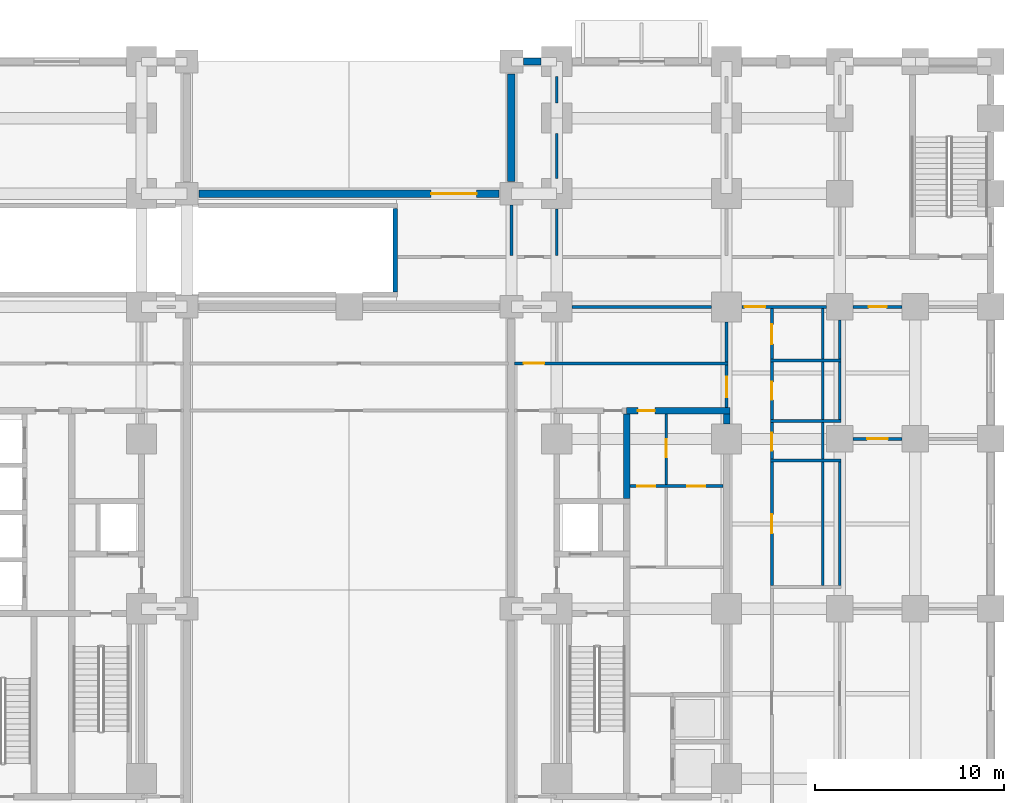
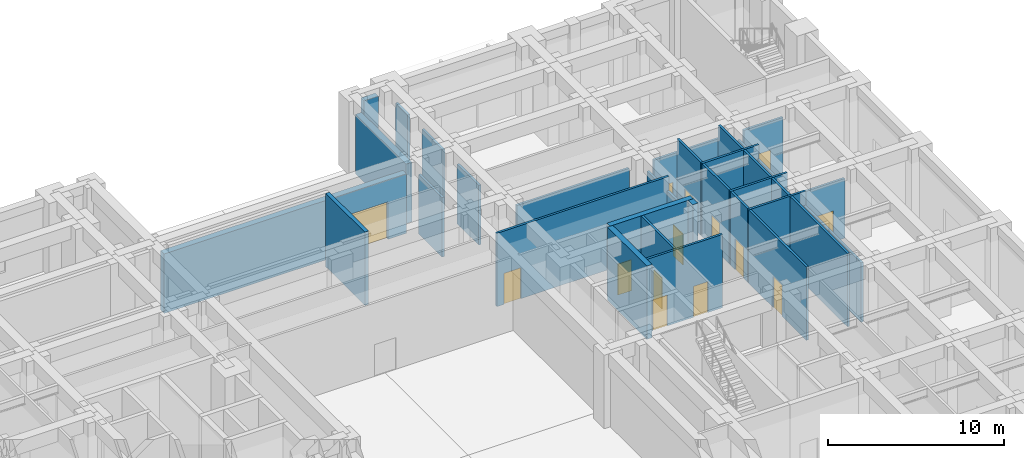
# One storey, part 11 of 20: 34 walls, 14 doors, 14 openings.
"""IFC4 building model written with IfcOpenShell, lengths in metres."""

from ifc_helpers import new_model, si_unit, direction, frame, frame_2d, origin, place, context, subcontext, project, spatial, rectangle, extrude, material, layer, layer_set, type_object, element, fill, save


model = new_model("IFC4")

# Units and contexts
model_context = context("Model", 3, precision=1e-05, world=origin(), true_north=direction((0.0, 1.0)))
body_context = subcontext(model_context, "Body", "Model", "MODEL_VIEW")
ifc_project = project(units=[si_unit("LENGTHUNIT", "METRE"), si_unit("AREAUNIT", "SQUARE_METRE"), si_unit("VOLUMEUNIT", "CUBIC_METRE"), si_unit("PLANEANGLEUNIT", "RADIAN"), si_unit("MASSUNIT", "GRAM", prefix="KILO")], contexts=[model_context])

# Site, building, storey
site_placement = place(None, origin())
site = spatial("IfcSite", under=ifc_project, at=site_placement, CompositionType="ELEMENT")
building_placement = place(site_placement, origin())
building = spatial("IfcBuilding", under=site, at=building_placement, Name="Zulmaris Gate Convention Tower", CompositionType="ELEMENT")
storey_placement = place(building_placement, origin())
storey = spatial("IfcBuildingStorey", under=building, at=storey_placement, Name="L00", CompositionType="ELEMENT", Elevation=0.0)

# Wall
ifc_material_1 = material(Name="Concrete C50/60", Category="concrete")
ifc_layer_1 = layer(ifc_material_1, 0.25, Name="Concrete C50/60")
ifc_layer_set_1 = layer_set([ifc_layer_1], Name="Concrete C50/60")
wall_type_1 = type_object("IfcWallType", Name="CORE-250", PredefinedType="SOLIDWALL", material=ifc_layer_set_1)
wall_1_placement = place(storey_placement, frame((2.449951171875, 16.777099609375, 0.0), z_axis=(0.0, 0.0, 1.0), x_axis=(0.0, 1.0, 0.0)))
element("IfcWall", 1, at=wall_1_placement, inside=storey, type_object=wall_type_1, Name="WL-L00-090", PredefinedType="SOLIDWALL", context=body_context, shape_type="SweptSolid", body=[
    extrude(rectangle(XDim=4.44580078125, YDim=0.25, at=frame_2d((2.222900390625, 0.0))), origin(), (0.0, 0.0, 1.0), 5.08984375),
])

# Wall, opening, door
ifc_material_2 = material(Name="Concrete C55/67", Category="concrete")
ifc_layer_2 = layer(ifc_material_2, 0.35009765625, Name="Concrete C55/67")
ifc_layer_set_2 = layer_set([ifc_layer_2], Name="Concrete C55/67")
wall_type_2 = type_object("IfcWallType", Name="CORE-350", PredefinedType="SHEAR", material=ifc_layer_set_2)
wall_2_placement = place(storey_placement, frame((14.699951171875, 10.5, 0.0), z_axis=(0.0, 0.0, 1.0), x_axis=(1.0, 0.0, 0.0)))
wall_2 = element("IfcWall", 2, at=wall_2_placement, inside=storey, type_object=wall_type_2, Name="WL-L00-026", PredefinedType="SHEAR", context=body_context, shape_type="SweptSolid", body=[
    extrude(rectangle(XDim=5.47509765625, YDim=0.35009765625, at=frame_2d((2.737548828125, 0.0))), origin(), (0.0, 0.0, 1.0), 5.08984375),
])
opening_1_placement = place(wall_2_placement, frame((0.60009765625, 0.0, 0.0)))
opening_1 = element("IfcOpeningElement", 3, at=opening_1_placement, cuts=wall_2, Name="Opening D-12", PredefinedType="OPENING", context=body_context, shape_type="SweptSolid", body=[
    extrude(rectangle(XDim=0.89990234375, YDim=2.14990234375, at=frame_2d((0.449951171875, 1.074951171875))), frame((0.0, 0.18505859375, 0.0), z_axis=(0.0, -1.0, 0.0), x_axis=(1.0, 0.0, 0.0)), (0.0, 0.0, 1.0), 0.3701171875),
])
ifc_material_3 = material(Name="Fire-Rated Timber", Category="wood")
door_type_1 = type_object("IfcDoorType", Name="DR-900-FD", OperationType="NOTDEFINED", PredefinedType="DOOR", material=ifc_material_3)
door_1_placement = place(opening_1_placement, origin())
door_1 = element("IfcDoor", 4, at=door_1_placement, inside=storey, type_object=door_type_1, Name="L00 East Service Passage Door 19", OperationType="SINGLE_SWING_RIGHT", OverallHeight=2.14990234375, OverallWidth=0.89990234375, PredefinedType="DOOR", context=body_context, shape_type="SweptSolid", body=[
    extrude(rectangle(XDim=0.89990234375, YDim=2.14990234375, at=frame_2d((0.449951171875, 1.074951171875))), frame((0.0, 0.02490234375, 0.0), z_axis=(0.0, -1.0, 0.0), x_axis=(1.0, 0.0, 0.0)), (0.0, 0.0, 1.0), 0.050048828125),
])
fill(opening_1, door_1)

# Walls
wall_3_placement = place(storey_placement, frame((14.699951171875, 5.85205078125, 0.0), z_axis=(0.0, 0.0, 1.0), x_axis=(0.0, 1.0, 0.0)))
element("IfcWall", 5, at=wall_3_placement, inside=storey, type_object=wall_type_2, Name="WL-L00-100", PredefinedType="SHEAR", context=body_context, shape_type="SweptSolid", body=[
    extrude(rectangle(XDim=4.470947265625, YDim=0.35009765625, at=frame_2d((2.2353515625, 0.0))), origin(), (0.0, 0.0, 1.0), 5.08984375),
])
wall_4_placement = place(storey_placement, frame((20.0, 9.803955078125, 0.0), z_axis=(0.0, 0.0, 1.0), x_axis=(0.0, 1.0, 0.0)))
element("IfcWall", 6, at=wall_4_placement, inside=storey, type_object=wall_type_2, Name="WL-L00-105S2", PredefinedType="SHEAR", context=body_context, shape_type="SweptSolid", body=[
    extrude(rectangle(XDim=0.51904296875, YDim=0.35009765625, at=frame_2d((0.259521484375, 0.0))), origin(), (0.0, 0.0, 1.0), 5.08984375),
])

# Wall, openings, doors
ifc_material_4 = material(Name="Gypsum Metal Stud Partition")
ifc_layer_3 = layer(ifc_material_4, 0.14990234375, Name="Gypsum Metal Stud Partition")
ifc_layer_set_3 = layer_set([ifc_layer_3], Name="Gypsum Metal Stud Partition")
wall_type_3 = type_object("IfcWallType", Name="PART-150", PredefinedType="PARTITIONING", material=ifc_layer_set_3)
wall_5_placement = place(storey_placement, frame((14.8779296875, 6.5, 0.0), z_axis=(0.0, 0.0, 1.0), x_axis=(1.0, 0.0, 0.0)))
wall_5 = element("IfcWall", 7, at=wall_5_placement, inside=storey, type_object=wall_type_3, Name="WL-L00-049", PredefinedType="PARTITIONING", context=body_context, shape_type="SweptSolid", body=[
    extrude(rectangle(XDim=4.944091796875, YDim=0.14990234375, at=frame_2d((2.47216796875, 0.0))), origin(), (0.0, 0.0, 1.0), 5.08984375),
])
opening_2_placement = place(wall_5_placement, frame((0.39697265625, 0.0, 0.0)))
opening_2 = element("IfcOpeningElement", 8, at=opening_2_placement, cuts=wall_5, Name="Opening D-11", PredefinedType="OPENING", context=body_context, shape_type="SweptSolid", body=[
    extrude(rectangle(XDim=0.949951171875, YDim=2.14990234375, at=frame_2d((0.47509765625, 1.074951171875))), frame((0.0, 0.0849609375, 0.0), z_axis=(0.0, -1.0, 0.0), x_axis=(1.0, 0.0, 0.0)), (0.0, 0.0, 1.0), 0.169921875),
])
opening_3_placement = place(wall_5_placement, frame((3.047119140625, 0.0, 0.0)))
opening_3 = element("IfcOpeningElement", 9, at=opening_3_placement, cuts=wall_5, Name="Opening D-11", PredefinedType="OPENING", context=body_context, shape_type="SweptSolid", body=[
    extrude(rectangle(XDim=0.949951171875, YDim=2.14990234375, at=frame_2d((0.47509765625, 1.074951171875))), frame((0.0, 0.0849609375, 0.0), z_axis=(0.0, -1.0, 0.0), x_axis=(1.0, 0.0, 0.0)), (0.0, 0.0, 1.0), 0.169921875),
])
door_type_2 = type_object("IfcDoorType", Name="DR-950-FD", OperationType="NOTDEFINED", PredefinedType="DOOR", material=ifc_material_3)
door_2_placement = place(opening_2_placement, origin())
door_2 = element("IfcDoor", 10, at=door_2_placement, inside=storey, type_object=door_type_2, Name="L00 East Staff WC Door 20", OperationType="SINGLE_SWING_LEFT", OverallHeight=2.14990234375, OverallWidth=0.949951171875, PredefinedType="DOOR", context=body_context, shape_type="SweptSolid", body=[
    extrude(rectangle(XDim=0.949951171875, YDim=2.14990234375, at=frame_2d((0.47509765625, 1.074951171875))), frame((0.0, 0.02490234375, 0.0), z_axis=(0.0, -1.0, 0.0), x_axis=(1.0, 0.0, 0.0)), (0.0, 0.0, 1.0), 0.050048828125),
])
fill(opening_2, door_2)
door_3_placement = place(opening_3_placement, origin())
door_3 = element("IfcDoor", 11, at=door_3_placement, inside=storey, type_object=door_type_2, Name="L00 East Catering Store Door 23", OperationType="SINGLE_SWING_RIGHT", OverallHeight=2.14990234375, OverallWidth=0.949951171875, PredefinedType="DOOR", context=body_context, shape_type="SweptSolid", body=[
    extrude(rectangle(XDim=0.949951171875, YDim=2.14990234375, at=frame_2d((0.47509765625, 1.074951171875))), frame((0.0, 0.02490234375, 0.0), z_axis=(0.0, -1.0, 0.0), x_axis=(1.0, 0.0, 0.0)), (0.0, 0.0, 1.0), 0.050048828125),
])
fill(opening_3, door_3)

# Wall
wall_6_placement = place(storey_placement, frame((22.324951171875, 7.85009765625, 0.0), z_axis=(0.0, 0.0, 1.0), x_axis=(1.0, 0.0, 0.0)))
element("IfcWall", 12, at=wall_6_placement, inside=storey, type_object=wall_type_3, Name="WL-L00-050", PredefinedType="PARTITIONING", context=body_context, shape_type="SweptSolid", body=[
    extrude(rectangle(XDim=3.75, YDim=0.14990234375, at=frame_2d((1.875, 0.0))), origin(), (0.0, 0.0, 1.0), 5.08984375),
])

# Wall, opening, door
wall_7_placement = place(storey_placement, frame((26.7060546875, 9.0, 0.0), z_axis=(0.0, 0.0, 1.0), x_axis=(1.0, 0.0, 0.0)))
wall_7 = element("IfcWall", 13, at=wall_7_placement, inside=storey, type_object=wall_type_3, Name="WL-L00-052", PredefinedType="PARTITIONING", context=body_context, shape_type="SweptSolid", body=[
    extrude(rectangle(XDim=2.587890625, YDim=0.14990234375, at=frame_2d((1.2939453125, 0.0))), origin(), (0.0, 0.0, 1.0), 4.1318359375),
])
opening_4_placement = place(wall_7_placement, frame((0.743896484375, 0.0, 0.0)))
opening_4 = element("IfcOpeningElement", 14, at=opening_4_placement, cuts=wall_7, Name="Opening D-21", PredefinedType="OPENING", context=body_context, shape_type="SweptSolid", body=[
    extrude(rectangle(XDim=1.10009765625, YDim=2.14990234375, at=frame_2d((0.550048828125, 1.074951171875))), frame((0.0, 0.0849609375, 0.0), z_axis=(0.0, -1.0, 0.0), x_axis=(1.0, 0.0, 0.0)), (0.0, 0.0, 1.0), 0.169921875),
])
ifc_material_5 = material(Name="Acoustic Hardwood Timber", Category="wood")
door_type_3 = type_object("IfcDoorType", Name="DR-1100", OperationType="NOTDEFINED", PredefinedType="DOOR", material=ifc_material_5)
door_4_placement = place(opening_4_placement, origin())
door_4 = element("IfcDoor", 15, at=door_4_placement, inside=storey, type_object=door_type_3, Name="L00 Travel Shop Door 74", OperationType="SINGLE_SWING_LEFT", OverallHeight=2.14990234375, OverallWidth=1.10009765625, PredefinedType="DOOR", context=body_context, shape_type="SweptSolid", body=[
    extrude(rectangle(XDim=1.10009765625, YDim=2.14990234375, at=frame_2d((0.550048828125, 1.074951171875))), frame((0.0, 0.02490234375, 0.0), z_axis=(0.0, -1.0, 0.0), x_axis=(1.0, 0.0, 0.0)), (0.0, 0.0, 1.0), 0.050048828125),
])
fill(opening_4, door_4)

# Wall
wall_8_placement = place(storey_placement, frame((22.324951171875, 9.949951171875, 0.0), z_axis=(0.0, 0.0, 1.0), x_axis=(1.0, 0.0, 0.0)))
element("IfcWall", 16, at=wall_8_placement, inside=storey, type_object=wall_type_3, Name="WL-L00-053", PredefinedType="PARTITIONING", context=body_context, shape_type="SweptSolid", body=[
    extrude(rectangle(XDim=3.75, YDim=0.14990234375, at=frame_2d((1.875, 0.0))), origin(), (0.0, 0.0, 1.0), 5.08984375),
])

# Wall, opening, door
wall_9_placement = place(storey_placement, frame((8.764892578125, 13.0, 0.0), z_axis=(0.0, 0.0, 1.0), x_axis=(1.0, 0.0, 0.0)))
wall_9 = element("IfcWall", 17, at=wall_9_placement, inside=storey, type_object=wall_type_3, Name="WL-L00-059", PredefinedType="PARTITIONING", context=body_context, shape_type="SweptSolid", body=[
    extrude(rectangle(XDim=11.31005859375, YDim=0.14990234375, at=frame_2d((5.655029296875, 0.0))), origin(), (0.0, 0.0, 1.0), 5.08984375),
])
opening_5_placement = place(wall_9_placement, frame((0.485107421875, 0.0, 0.0)))
opening_5 = element("IfcOpeningElement", 18, at=opening_5_placement, cuts=wall_9, Name="Opening D-08", PredefinedType="OPENING", context=body_context, shape_type="SweptSolid", body=[
    extrude(rectangle(XDim=1.10009765625, YDim=2.14990234375, at=frame_2d((0.550048828125, 1.074951171875))), frame((0.0, 0.0849609375, 0.0), z_axis=(0.0, -1.0, 0.0), x_axis=(1.0, 0.0, 0.0)), (0.0, 0.0, 1.0), 0.169921875),
])
ifc_material_6 = material(Name="Fire-Rated Steel", Category="steel")
door_type_4 = type_object("IfcDoorType", Name="DR-1100-FD", OperationType="NOTDEFINED", PredefinedType="DOOR", material=ifc_material_6)
door_5_placement = place(opening_5_placement, origin())
door_5 = element("IfcDoor", 19, at=door_5_placement, inside=storey, type_object=door_type_4, Name="L00 East Spine North Door 38", OperationType="SINGLE_SWING_LEFT", OverallHeight=2.14990234375, OverallWidth=1.10009765625, PredefinedType="DOOR", context=body_context, shape_type="SweptSolid", body=[
    extrude(rectangle(XDim=1.10009765625, YDim=2.14990234375, at=frame_2d((0.550048828125, 1.074951171875))), frame((0.0, 0.02490234375, 0.0), z_axis=(0.0, -1.0, 0.0), x_axis=(1.0, 0.0, 0.0)), (0.0, 0.0, 1.0), 0.050048828125),
])
fill(opening_5, door_5)

# Walls
wall_10_placement = place(storey_placement, frame((22.324951171875, 13.14990234375, 0.0), z_axis=(0.0, 0.0, 1.0), x_axis=(1.0, 0.0, 0.0)))
element("IfcWall", 20, at=wall_10_placement, inside=storey, type_object=wall_type_3, Name="WL-L00-060", PredefinedType="PARTITIONING", context=body_context, shape_type="SweptSolid", body=[
    extrude(rectangle(XDim=3.75, YDim=0.14990234375, at=frame_2d((1.875, 0.0))), origin(), (0.0, 0.0, 1.0), 5.08984375),
])
wall_11_placement = place(storey_placement, frame((11.805908203125, 16.0, 0.0), z_axis=(0.0, 0.0, 1.0), x_axis=(1.0, 0.0, 0.0)))
element("IfcWall", 21, at=wall_11_placement, inside=storey, type_object=wall_type_3, Name="WL-L00-063S1", PredefinedType="PARTITIONING", context=body_context, shape_type="SweptSolid", body=[
    extrude(rectangle(XDim=7.38818359375, YDim=0.14990234375, at=frame_2d((3.694091796875, 0.0))), origin(), (0.0, 0.0, 1.0), 4.1318359375),
])

# Wall, opening, door
wall_12_placement = place(storey_placement, frame((20.805908203125, 16.0, 0.0), z_axis=(0.0, 0.0, 1.0), x_axis=(1.0, 0.0, 0.0)))
wall_12 = element("IfcWall", 22, at=wall_12_placement, inside=storey, type_object=wall_type_3, Name="WL-L00-063S2", PredefinedType="PARTITIONING", context=body_context, shape_type="SweptSolid", body=[
    extrude(rectangle(XDim=4.488037109375, YDim=0.14990234375, at=frame_2d((2.244140625, 0.0))), origin(), (0.0, 0.0, 1.0), 4.1318359375),
])
opening_6_placement = place(wall_12_placement, frame((0.14990234375, 0.0, 0.0)))
opening_6 = element("IfcOpeningElement", 23, at=opening_6_placement, cuts=wall_12, Name="Opening D-08", PredefinedType="OPENING", context=body_context, shape_type="SweptSolid", body=[
    extrude(rectangle(XDim=1.10009765625, YDim=2.14990234375, at=frame_2d((0.550048828125, 1.074951171875))), frame((0.0, 0.0849609375, 0.0), z_axis=(0.0, -1.0, 0.0), x_axis=(1.0, 0.0, 0.0)), (0.0, 0.0, 1.0), 0.169921875),
])
door_6_placement = place(opening_6_placement, origin())
door_6 = element("IfcDoor", 24, at=door_6_placement, inside=storey, type_object=door_type_4, Name="L00 East Concourse Link Door 36", OperationType="SINGLE_SWING_LEFT", OverallHeight=2.14990234375, OverallWidth=1.10009765625, PredefinedType="DOOR", context=body_context, shape_type="SweptSolid", body=[
    extrude(rectangle(XDim=1.10009765625, YDim=2.14990234375, at=frame_2d((0.550048828125, 1.074951171875))), frame((0.0, 0.02490234375, 0.0), z_axis=(0.0, -1.0, 0.0), x_axis=(1.0, 0.0, 0.0)), (0.0, 0.0, 1.0), 0.050048828125),
])
fill(opening_6, door_6)

wall_13_placement = place(storey_placement, frame((26.7060546875, 16.0, 0.0), z_axis=(0.0, 0.0, 1.0), x_axis=(1.0, 0.0, 0.0)))
wall_13 = element("IfcWall", 25, at=wall_13_placement, inside=storey, type_object=wall_type_3, Name="WL-L00-063S3", PredefinedType="PARTITIONING", context=body_context, shape_type="SweptSolid", body=[
    extrude(rectangle(XDim=2.587890625, YDim=0.14990234375, at=frame_2d((1.2939453125, 0.0))), origin(), (0.0, 0.0, 1.0), 4.1318359375),
])
opening_7_placement = place(wall_13_placement, frame((0.819091796875, 0.0, 0.0)))
opening_7 = element("IfcOpeningElement", 26, at=opening_7_placement, cuts=wall_13, Name="Opening D-11", PredefinedType="OPENING", context=body_context, shape_type="SweptSolid", body=[
    extrude(rectangle(XDim=0.949951171875, YDim=2.14990234375, at=frame_2d((0.47509765625, 1.074951171875))), frame((0.0, 0.0849609375, 0.0), z_axis=(0.0, -1.0, 0.0), x_axis=(1.0, 0.0, 0.0)), (0.0, 0.0, 1.0), 0.169921875),
])
door_7_placement = place(opening_7_placement, origin())
door_7 = element("IfcDoor", 27, at=door_7_placement, inside=storey, type_object=door_type_2, Name="L00 Concierge Office Door 75", OperationType="SINGLE_SWING_RIGHT", OverallHeight=2.14990234375, OverallWidth=0.949951171875, PredefinedType="DOOR", context=body_context, shape_type="SweptSolid", body=[
    extrude(rectangle(XDim=0.949951171875, YDim=2.14990234375, at=frame_2d((0.47509765625, 1.074951171875))), frame((0.0, 0.02490234375, 0.0), z_axis=(0.0, -1.0, 0.0), x_axis=(1.0, 0.0, 0.0)), (0.0, 0.0, 1.0), 0.050048828125),
])
fill(opening_7, door_7)

# Walls
wall_14_placement = place(storey_placement, frame((8.60009765625, 18.72802734375, 0.0), z_axis=(0.0, 0.0, 1.0), x_axis=(0.0, 1.0, 0.0)))
element("IfcWall", 28, at=wall_14_placement, inside=storey, type_object=wall_type_3, Name="WL-L00-127", PredefinedType="PARTITIONING", context=body_context, shape_type="SweptSolid", body=[
    extrude(rectangle(XDim=2.666015625, YDim=0.14990234375, at=frame_2d((1.3330078125, 0.0))), origin(), (0.0, 0.0, 1.0), 4.1318359375),
])
wall_15_placement = place(storey_placement, frame((11.0, 18.72802734375, 0.0), z_axis=(0.0, 0.0, 1.0), x_axis=(0.0, 1.0, 0.0)))
element("IfcWall", 29, at=wall_15_placement, inside=storey, type_object=wall_type_3, Name="WL-L00-130", PredefinedType="PARTITIONING", context=body_context, shape_type="SweptSolid", body=[
    extrude(rectangle(XDim=2.466064453125, YDim=0.14990234375, at=frame_2d((1.23291015625, 0.0))), origin(), (0.0, 0.0, 1.0), 4.1318359375),
])
wall_16_placement = place(storey_placement, frame((11.0, 22.805908203125, 0.0), z_axis=(0.0, 0.0, 1.0), x_axis=(0.0, 1.0, 0.0)))
element("IfcWall", 30, at=wall_16_placement, inside=storey, type_object=wall_type_3, Name="WL-L00-130S1", PredefinedType="PARTITIONING", context=body_context, shape_type="SweptSolid", body=[
    extrude(rectangle(XDim=2.38818359375, YDim=0.14990234375, at=frame_2d((1.194091796875, 0.0))), origin(), (0.0, 0.0, 1.0), 4.1318359375),
])
wall_17_placement = place(storey_placement, frame((11.0, 26.805908203125, 0.0), z_axis=(0.0, 0.0, 1.0), x_axis=(0.0, 1.0, 0.0)))
element("IfcWall", 31, at=wall_17_placement, inside=storey, type_object=wall_type_3, Name="WL-L00-130S2", PredefinedType="PARTITIONING", context=body_context, shape_type="SweptSolid", body=[
    extrude(rectangle(XDim=1.38818359375, YDim=0.14990234375, at=frame_2d((0.694091796875, 0.0))), origin(), (0.0, 0.0, 1.0), 4.1318359375),
])

# Wall, opening, door
wall_18_placement = place(storey_placement, frame((16.800048828125, 6.577880859375, 0.0), z_axis=(0.0, 0.0, 1.0), x_axis=(0.0, 1.0, 0.0)))
wall_18 = element("IfcWall", 32, at=wall_18_placement, inside=storey, type_object=wall_type_3, Name="WL-L00-133", PredefinedType="PARTITIONING", context=body_context, shape_type="SweptSolid", body=[
    extrude(rectangle(XDim=3.744140625, YDim=0.14990234375, at=frame_2d((1.8720703125, 0.0))), origin(), (0.0, 0.0, 1.0), 5.08984375),
])
opening_8_placement = place(wall_18_placement, frame((1.447021484375, 0.0, 0.0)))
opening_8 = element("IfcOpeningElement", 33, at=opening_8_placement, cuts=wall_18, Name="Opening D-11", PredefinedType="OPENING", context=body_context, shape_type="SweptSolid", body=[
    extrude(rectangle(XDim=0.949951171875, YDim=2.14990234375, at=frame_2d((0.47509765625, 1.074951171875))), frame((0.0, 0.0849609375, 0.0), z_axis=(0.0, -1.0, 0.0), x_axis=(1.0, 0.0, 0.0)), (0.0, 0.0, 1.0), 0.169921875),
])
door_8_placement = place(opening_8_placement, origin())
door_8 = element("IfcDoor", 34, at=door_8_placement, inside=storey, type_object=door_type_2, Name="L00 East Vending Pantry Door 22", OperationType="SINGLE_SWING_LEFT", OverallHeight=2.14990234375, OverallWidth=0.949951171875, PredefinedType="DOOR", context=body_context, shape_type="SweptSolid", body=[
    extrude(rectangle(XDim=0.949951171875, YDim=2.14990234375, at=frame_2d((0.47509765625, 1.074951171875))), frame((0.0, 0.02490234375, 0.0), z_axis=(0.0, -1.0, 0.0), x_axis=(1.0, 0.0, 0.0)), (0.0, 0.0, 1.0), 0.050048828125),
])
fill(opening_8, door_8)

wall_19_placement = place(storey_placement, frame((20.0, 10.677978515625, 0.0), z_axis=(0.0, 0.0, 1.0), x_axis=(0.0, 1.0, 0.0)))
wall_19 = element("IfcWall", 35, at=wall_19_placement, inside=storey, type_object=wall_type_3, Name="WL-L00-136", PredefinedType="PARTITIONING", context=body_context, shape_type="SweptSolid", body=[
    extrude(rectangle(XDim=2.244140625, YDim=0.14990234375, at=frame_2d((1.1220703125, 0.0))), origin(), (0.0, 0.0, 1.0), 4.1318359375),
])
opening_9_placement = place(wall_19_placement, frame((0.52197265625, 0.0, 0.0)))
opening_9 = element("IfcOpeningElement", 36, at=opening_9_placement, cuts=wall_19, Name="Opening D-08", PredefinedType="OPENING", context=body_context, shape_type="SweptSolid", body=[
    extrude(rectangle(XDim=1.10009765625, YDim=2.14990234375, at=frame_2d((0.550048828125, 1.074951171875))), frame((0.0, 0.0849609375, 0.0), z_axis=(0.0, -1.0, 0.0), x_axis=(1.0, 0.0, 0.0)), (0.0, 0.0, 1.0), 0.169921875),
])
door_9_placement = place(opening_9_placement, origin())
door_9 = element("IfcDoor", 37, at=door_9_placement, inside=storey, type_object=door_type_4, Name="L00 East Passage North Door 44", OperationType="SINGLE_SWING_LEFT", OverallHeight=2.14990234375, OverallWidth=1.10009765625, PredefinedType="DOOR", context=body_context, shape_type="SweptSolid", body=[
    extrude(rectangle(XDim=1.10009765625, YDim=2.14990234375, at=frame_2d((0.550048828125, 1.074951171875))), frame((0.0, 0.02490234375, 0.0), z_axis=(0.0, -1.0, 0.0), x_axis=(1.0, 0.0, 0.0)), (0.0, 0.0, 1.0), 0.050048828125),
])
fill(opening_9, door_9)

# Wall
wall_20_placement = place(storey_placement, frame((20.0, 13.077880859375, 0.0), z_axis=(0.0, 0.0, 1.0), x_axis=(0.0, 1.0, 0.0)))
element("IfcWall", 38, at=wall_20_placement, inside=storey, type_object=wall_type_3, Name="WL-L00-137", PredefinedType="PARTITIONING", context=body_context, shape_type="SweptSolid", body=[
    extrude(rectangle(XDim=2.1162109375, YDim=0.14990234375, at=frame_2d((1.05810546875, 0.0))), origin(), (0.0, 0.0, 1.0), 4.1318359375),
])

# Wall, opening, door
wall_21_placement = place(storey_placement, frame((22.39990234375, 1.22802734375, 0.0), z_axis=(0.0, 0.0, 1.0), x_axis=(0.0, 1.0, 0.0)))
wall_21 = element("IfcWall", 39, at=wall_21_placement, inside=storey, type_object=wall_type_3, Name="WL-L00-140", PredefinedType="PARTITIONING", context=body_context, shape_type="SweptSolid", body=[
    extrude(rectangle(XDim=6.5439453125, YDim=0.14990234375, at=frame_2d((3.27197265625, 0.0))), origin(), (0.0, 0.0, 1.0), 5.08984375),
])
opening_10_placement = place(wall_21_placement, frame((2.77197265625, 0.0, 0.0)))
opening_10 = element("IfcOpeningElement", 40, at=opening_10_placement, cuts=wall_21, Name="Opening D-10", PredefinedType="OPENING", context=body_context, shape_type="SweptSolid", body=[
    extrude(rectangle(XDim=1.0, YDim=2.14990234375, at=frame_2d((0.5, 1.074951171875))), frame((0.0, 0.0849609375, 0.0), z_axis=(0.0, -1.0, 0.0), x_axis=(1.0, 0.0, 0.0)), (0.0, 0.0, 1.0), 0.169921875),
])
door_type_5 = type_object("IfcDoorType", Name="DR-1000-FD", OperationType="NOTDEFINED", PredefinedType="DOOR", material=ifc_material_3)
door_10_placement = place(opening_10_placement, origin())
door_10 = element("IfcDoor", 41, at=door_10_placement, inside=storey, type_object=door_type_5, Name="L00 Ground Public WC Door 70", OperationType="SINGLE_SWING_LEFT", OverallHeight=2.14990234375, OverallWidth=1.0, PredefinedType="DOOR", context=body_context, shape_type="SweptSolid", body=[
    extrude(rectangle(XDim=1.0, YDim=2.14990234375, at=frame_2d((0.5, 1.074951171875))), frame((0.0, 0.02490234375, 0.0), z_axis=(0.0, -1.0, 0.0), x_axis=(1.0, 0.0, 0.0)), (0.0, 0.0, 1.0), 0.050048828125),
])
fill(opening_10, door_10)

wall_22_placement = place(storey_placement, frame((22.39990234375, 7.927978515625, 0.0), z_axis=(0.0, 0.0, 1.0), x_axis=(0.0, 1.0, 0.0)))
wall_22 = element("IfcWall", 42, at=wall_22_placement, inside=storey, type_object=wall_type_3, Name="WL-L00-141", PredefinedType="PARTITIONING", context=body_context, shape_type="SweptSolid", body=[
    extrude(rectangle(XDim=1.944091796875, YDim=0.14990234375, at=frame_2d((0.97216796875, 0.0))), origin(), (0.0, 0.0, 1.0), 5.08984375),
])
opening_11_placement = place(wall_22_placement, frame((0.447021484375, 0.0, 0.0)))
opening_11 = element("IfcOpeningElement", 43, at=opening_11_placement, cuts=wall_22, Name="Opening D-11", PredefinedType="OPENING", context=body_context, shape_type="SweptSolid", body=[
    extrude(rectangle(XDim=0.949951171875, YDim=2.14990234375, at=frame_2d((0.47509765625, 1.074951171875))), frame((0.0, 0.0849609375, 0.0), z_axis=(0.0, -1.0, 0.0), x_axis=(1.0, 0.0, 0.0)), (0.0, 0.0, 1.0), 0.169921875),
])
door_11_placement = place(opening_11_placement, origin())
door_11 = element("IfcDoor", 44, at=door_11_placement, inside=storey, type_object=door_type_2, Name="L00 CE Service Alcove Door 73", OperationType="SINGLE_SWING_RIGHT", OverallHeight=2.14990234375, OverallWidth=0.949951171875, PredefinedType="DOOR", context=body_context, shape_type="SweptSolid", body=[
    extrude(rectangle(XDim=0.949951171875, YDim=2.14990234375, at=frame_2d((0.47509765625, 1.074951171875))), frame((0.0, 0.02490234375, 0.0), z_axis=(0.0, -1.0, 0.0), x_axis=(1.0, 0.0, 0.0)), (0.0, 0.0, 1.0), 0.050048828125),
])
fill(opening_11, door_11)

wall_23_placement = place(storey_placement, frame((22.39990234375, 10.028076171875, 0.0), z_axis=(0.0, 0.0, 1.0), x_axis=(0.0, 1.0, 0.0)))
wall_23 = element("IfcWall", 45, at=wall_23_placement, inside=storey, type_object=wall_type_3, Name="WL-L00-142", PredefinedType="PARTITIONING", context=body_context, shape_type="SweptSolid", body=[
    extrude(rectangle(XDim=3.0439453125, YDim=0.14990234375, at=frame_2d((1.52197265625, 0.0))), origin(), (0.0, 0.0, 1.0), 5.08984375),
])
opening_12_placement = place(wall_23_placement, frame((1.047119140625, 0.0, 0.0)))
opening_12 = element("IfcOpeningElement", 46, at=opening_12_placement, cuts=wall_23, Name="Opening D-11", PredefinedType="OPENING", context=body_context, shape_type="SweptSolid", body=[
    extrude(rectangle(XDim=0.949951171875, YDim=2.14990234375, at=frame_2d((0.47509765625, 1.074951171875))), frame((0.0, 0.0849609375, 0.0), z_axis=(0.0, -1.0, 0.0), x_axis=(1.0, 0.0, 0.0)), (0.0, 0.0, 1.0), 0.169921875),
])
door_12_placement = place(opening_12_placement, origin())
door_12 = element("IfcDoor", 47, at=door_12_placement, inside=storey, type_object=door_type_2, Name="L00 Ground Accessible WC Door 71", OperationType="SINGLE_SWING_RIGHT", OverallHeight=2.14990234375, OverallWidth=0.949951171875, PredefinedType="DOOR", context=body_context, shape_type="SweptSolid", body=[
    extrude(rectangle(XDim=0.949951171875, YDim=2.14990234375, at=frame_2d((0.47509765625, 1.074951171875))), frame((0.0, 0.02490234375, 0.0), z_axis=(0.0, -1.0, 0.0), x_axis=(1.0, 0.0, 0.0)), (0.0, 0.0, 1.0), 0.050048828125),
])
fill(opening_12, door_12)

wall_24_placement = place(storey_placement, frame((22.39990234375, 13.22802734375, 0.0), z_axis=(0.0, 0.0, 1.0), x_axis=(0.0, 1.0, 0.0)))
wall_24 = element("IfcWall", 48, at=wall_24_placement, inside=storey, type_object=wall_type_3, Name="WL-L00-143", PredefinedType="PARTITIONING", context=body_context, shape_type="SweptSolid", body=[
    extrude(rectangle(XDim=2.694091796875, YDim=0.14990234375, at=frame_2d((1.34716796875, 0.0))), origin(), (0.0, 0.0, 1.0), 5.08984375),
])
opening_13_placement = place(wall_24_placement, frame((0.797119140625, 0.0, 0.0)))
opening_13 = element("IfcOpeningElement", 49, at=opening_13_placement, cuts=wall_24, Name="Opening D-09", PredefinedType="OPENING", context=body_context, shape_type="SweptSolid", body=[
    extrude(rectangle(XDim=1.050048828125, YDim=2.14990234375, at=frame_2d((0.52490234375, 1.074951171875))), frame((0.0, 0.0849609375, 0.0), z_axis=(0.0, -1.0, 0.0), x_axis=(1.0, 0.0, 0.0)), (0.0, 0.0, 1.0), 0.169921875),
])
door_type_6 = type_object("IfcDoorType", Name="DR-1050-FD", OperationType="NOTDEFINED", PredefinedType="DOOR", material=ifc_material_6)
door_13_placement = place(opening_13_placement, origin())
door_13 = element("IfcDoor", 50, at=door_13_placement, inside=storey, type_object=door_type_6, Name="L00 NE Retail Vestibule Door 72", OperationType="SINGLE_SWING_LEFT", OverallHeight=2.14990234375, OverallWidth=1.050048828125, PredefinedType="DOOR", context=body_context, shape_type="SweptSolid", body=[
    extrude(rectangle(XDim=1.050048828125, YDim=2.14990234375, at=frame_2d((0.52490234375, 1.074951171875))), frame((0.0, 0.02490234375, 0.0), z_axis=(0.0, -1.0, 0.0), x_axis=(1.0, 0.0, 0.0)), (0.0, 0.0, 1.0), 0.050048828125),
])
fill(opening_13, door_13)

# Walls
wall_25_placement = place(storey_placement, frame((25.10009765625, 1.22802734375, 0.0), z_axis=(0.0, 0.0, 1.0), x_axis=(0.0, 1.0, 0.0)))
element("IfcWall", 51, at=wall_25_placement, inside=storey, type_object=wall_type_3, Name="WL-L00-144", PredefinedType="PARTITIONING", context=body_context, shape_type="SweptSolid", body=[
    extrude(rectangle(XDim=6.5439453125, YDim=0.14990234375, at=frame_2d((3.27197265625, 0.0))), origin(), (0.0, 0.0, 1.0), 5.08984375),
])
wall_26_placement = place(storey_placement, frame((25.10009765625, 7.927978515625, 0.0), z_axis=(0.0, 0.0, 1.0), x_axis=(0.0, 1.0, 0.0)))
element("IfcWall", 52, at=wall_26_placement, inside=storey, type_object=wall_type_3, Name="WL-L00-145", PredefinedType="PARTITIONING", context=body_context, shape_type="SweptSolid", body=[
    extrude(rectangle(XDim=1.944091796875, YDim=0.14990234375, at=frame_2d((0.97216796875, 0.0))), origin(), (0.0, 0.0, 1.0), 5.08984375),
])
wall_27_placement = place(storey_placement, frame((25.10009765625, 10.028076171875, 0.0), z_axis=(0.0, 0.0, 1.0), x_axis=(0.0, 1.0, 0.0)))
element("IfcWall", 53, at=wall_27_placement, inside=storey, type_object=wall_type_3, Name="WL-L00-146", PredefinedType="PARTITIONING", context=body_context, shape_type="SweptSolid", body=[
    extrude(rectangle(XDim=3.0439453125, YDim=0.14990234375, at=frame_2d((1.52197265625, 0.0))), origin(), (0.0, 0.0, 1.0), 5.08984375),
])
wall_28_placement = place(storey_placement, frame((25.10009765625, 13.22802734375, 0.0), z_axis=(0.0, 0.0, 1.0), x_axis=(0.0, 1.0, 0.0)))
element("IfcWall", 54, at=wall_28_placement, inside=storey, type_object=wall_type_3, Name="WL-L00-147", PredefinedType="PARTITIONING", context=body_context, shape_type="SweptSolid", body=[
    extrude(rectangle(XDim=2.694091796875, YDim=0.14990234375, at=frame_2d((1.34716796875, 0.0))), origin(), (0.0, 0.0, 1.0), 5.08984375),
])
wall_29_placement = place(storey_placement, frame((26.0, 1.22802734375, 0.0), z_axis=(0.0, 0.0, 1.0), x_axis=(0.0, 1.0, 0.0)))
element("IfcWall", 55, at=wall_29_placement, inside=storey, type_object=wall_type_3, Name="WL-L00-152", PredefinedType="PARTITIONING", context=body_context, shape_type="SweptSolid", body=[
    extrude(rectangle(XDim=6.5439453125, YDim=0.14990234375, at=frame_2d((3.27197265625, 0.0))), origin(), (0.0, 0.0, 1.0), 4.1318359375),
])
wall_30_placement = place(storey_placement, frame((26.0, 10.028076171875, 0.0), z_axis=(0.0, 0.0, 1.0), x_axis=(0.0, 1.0, 0.0)))
element("IfcWall", 56, at=wall_30_placement, inside=storey, type_object=wall_type_3, Name="WL-L00-155", PredefinedType="PARTITIONING", context=body_context, shape_type="SweptSolid", body=[
    extrude(rectangle(XDim=3.0439453125, YDim=0.14990234375, at=frame_2d((1.52197265625, 0.0))), origin(), (0.0, 0.0, 1.0), 4.1318359375),
])
wall_31_placement = place(storey_placement, frame((26.0, 13.22802734375, 0.0), z_axis=(0.0, 0.0, 1.0), x_axis=(0.0, 1.0, 0.0)))
element("IfcWall", 57, at=wall_31_placement, inside=storey, type_object=wall_type_3, Name="WL-L00-156", PredefinedType="PARTITIONING", context=body_context, shape_type="SweptSolid", body=[
    extrude(rectangle(XDim=2.06591796875, YDim=0.14990234375, at=frame_2d((1.032958984375, 0.0))), origin(), (0.0, 0.0, 1.0), 4.1318359375),
])
ifc_material_7 = material(Name="Precast concrete C50/60", Category="concrete")
ifc_layer_4 = layer(ifc_material_7, 0.39990234375, Name="Precast concrete C50/60")
ifc_layer_set_4 = layer_set([ifc_layer_4], Name="Precast concrete C50/60")
wall_type_4 = type_object("IfcWallType", Name="PRECAST-ARCH-400", PredefinedType="STANDARD", material=ifc_layer_set_4)
wall_32_placement = place(storey_placement, frame((8.60009765625, 28.35009765625, 0.0), z_axis=(0.0, 0.0, 1.0), x_axis=(0.0, -1.0, 0.0)))
element("IfcWall", 58, at=wall_32_placement, inside=storey, type_object=wall_type_4, Name="EW-L00-ARCH-NES_0", PredefinedType="STANDARD", context=body_context, shape_type="SweptSolid", body=[
    extrude(rectangle(XDim=5.72021484375, YDim=0.39990234375, at=frame_2d((2.860107421875, 0.0))), origin(), (0.0, 0.0, 1.0), 4.1318359375),
])

# Wall, opening, door
wall_33_placement = place(storey_placement, frame((7.949951171875, 22.0, 0.0), z_axis=(0.0, 0.0, 1.0), x_axis=(-1.0, 0.0, 0.0)))
wall_33 = element("IfcWall", 59, at=wall_33_placement, inside=storey, type_object=wall_type_4, Name="EW-L00-ARCH-NH_0", PredefinedType="STANDARD", context=body_context, shape_type="SweptSolid", body=[
    extrude(rectangle(XDim=15.89990234375, YDim=0.39990234375, at=frame_2d((7.949951171875, 0.0))), origin(), (0.0, 0.0, 1.0), 4.1318359375),
])
opening_14_placement = place(wall_33_placement, frame((1.199951171875, 0.0, 0.0)))
opening_14 = element("IfcOpeningElement", 60, at=opening_14_placement, cuts=wall_33, Name="Opening D-01", PredefinedType="OPENING", context=body_context, shape_type="SweptSolid", body=[
    extrude(rectangle(XDim=2.39990234375, YDim=2.60009765625, at=frame_2d((1.199951171875, 1.300048828125))), frame((0.0, 0.2099609375, 0.0), z_axis=(0.0, -1.0, 0.0), x_axis=(1.0, 0.0, 0.0)), (0.0, 0.0, 1.0), 0.419921875),
])
ifc_material_8 = material(Name="Anodised Aluminium and Laminated Glass", Category="aluminium")
door_type_7 = type_object("IfcDoorType", Name="ED-2400", OperationType="DOUBLE_DOOR_DOUBLE_SWING", PredefinedType="DOOR", material=ifc_material_8)
door_14_placement = place(opening_14_placement, origin())
door_14 = element("IfcDoor", 61, at=door_14_placement, inside=storey, type_object=door_type_7, Name="North Pishtaq Portal Vestibule Door", OperationType="DOUBLE_DOOR_DOUBLE_SWING", OverallHeight=2.60009765625, OverallWidth=2.39990234375, PredefinedType="DOOR", context=body_context, shape_type="SweptSolid", body=[
    extrude(rectangle(XDim=2.39990234375, YDim=2.60009765625, at=frame_2d((1.199951171875, 1.300048828125))), frame((0.0, 0.02490234375, 0.0), z_axis=(0.0, -1.0, 0.0), x_axis=(1.0, 0.0, 0.0)), (0.0, 0.0, 1.0), 0.050048828125),
])
fill(opening_14, door_14)

# Wall
ifc_material_9 = material(Name="Precast concrete C45/55", Category="concrete")
ifc_layer_5 = layer(ifc_material_9, 0.35009765625, Name="Precast concrete C45/55")
ifc_layer_set_5 = layer_set([ifc_layer_5], Name="Precast concrete C45/55")
wall_type_5 = type_object("IfcWallType", Name="PRECAST-POD-350", PredefinedType="STANDARD", material=ifc_layer_set_5)
wall_34_placement = place(storey_placement, frame((10.169921875, 29.0, 0.0), z_axis=(0.0, 0.0, 1.0), x_axis=(-1.0, 0.0, 0.0)))
element("IfcWall", 62, at=wall_34_placement, inside=storey, type_object=wall_type_5, Name="EW-L00-N-86_0", PredefinedType="STANDARD", context=body_context, shape_type="SweptSolid", body=[
    extrude(rectangle(XDim=0.93994140625, YDim=0.35009765625, at=frame_2d((0.469970703125, 0.0))), origin(), (0.0, 0.0, 1.0), 4.48193359375),
])

save(model, "model.ifc")
